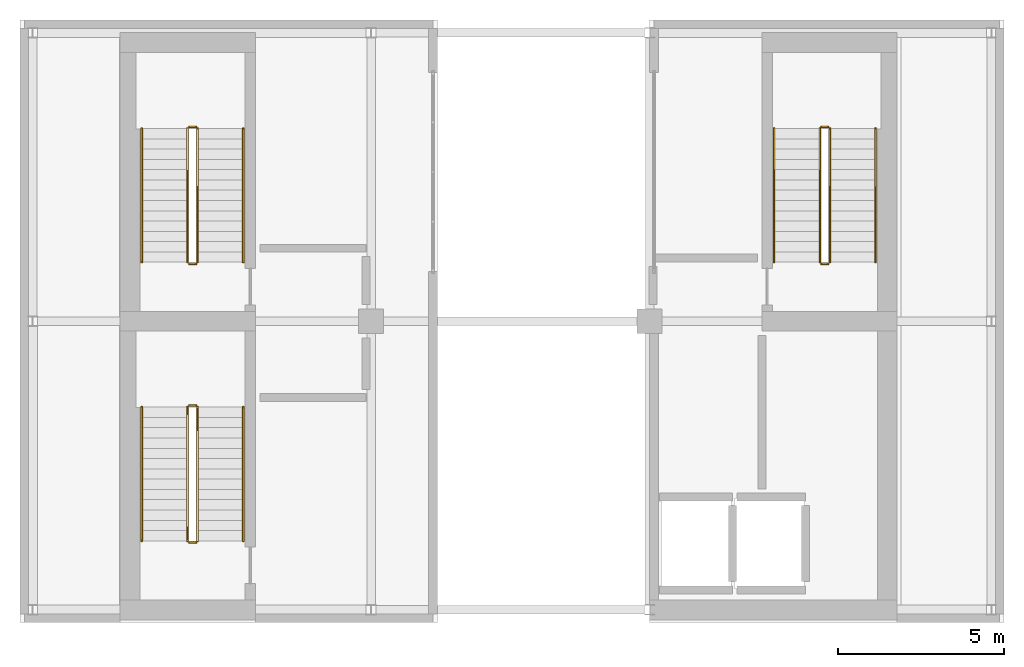
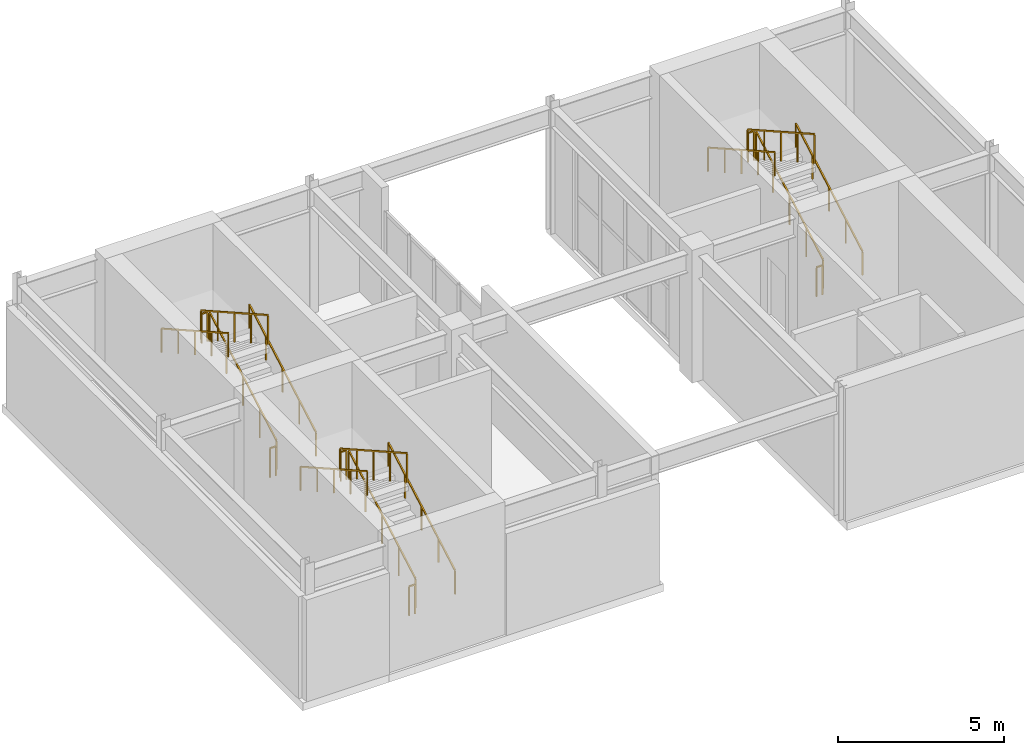
# One storey, part 9 of 9: 18 railings.
"""IFC4 building model written with IfcOpenShell, lengths in metres."""

from ifc_helpers import new_model, si_unit, direction, frame, origin, origin_2d, place, context, subcontext, project, spatial, rectangle, extrude, material, type_object, element, save


model = new_model("IFC4")

# Units and contexts
model_context = context("Model", 3, precision=1e-05, world=origin(), true_north=direction((0.0, 1.0)))
body_context = subcontext(model_context, "Body", "Model", "MODEL_VIEW")
ifc_project = project(units=[si_unit("LENGTHUNIT", "METRE"), si_unit("AREAUNIT", "SQUARE_METRE"), si_unit("VOLUMEUNIT", "CUBIC_METRE"), si_unit("PLANEANGLEUNIT", "RADIAN"), si_unit("MASSUNIT", "GRAM", prefix="KILO")], contexts=[model_context])

# Site, building, storey
site_placement = place(None, origin())
site = spatial("IfcSite", under=ifc_project, at=site_placement, CompositionType="ELEMENT")
building_placement = place(site_placement, origin())
building = spatial("IfcBuilding", under=site, at=building_placement, Name="Solanera Arch Residences", CompositionType="ELEMENT")
storey_placement = place(building_placement, frame((0.0, 0.0, 292.780029296875)))
storey = spatial("IfcBuildingStorey", under=building, at=storey_placement, Name="L83", CompositionType="ELEMENT", Elevation=292.780029296875)

# Railings
ifc_material_1 = material(Name="Steel S355 (ASTM A992 / A572 Grade 50)", Category="steel")
railing_type_1 = type_object("IfcRailingType", Name="Stair Guardrail GR-1100", PredefinedType="GUARDRAIL", material=ifc_material_1)
railing_1_placement = place(storey_placement, frame((15.570068359375, 32.47998046875, 0.159912109375)))
element("IfcRailing", 1, at=railing_1_placement, inside=storey, type_object=railing_type_1, Name="L83 ST-T1 stair guard 1", PredefinedType="GUARDRAIL", context=body_context, shape_type="SweptSolid", body=[
    extrude(rectangle(XDim=0.048095703125, YDim=0.048095703125, at=origin_2d()), frame((0.0, 0.0, 1.076171875), z_axis=(0.0, 0.870812288514, 0.491615661033), x_axis=(-1.0, 0.0, 0.0)), (0.0, 0.0, 1.0), 4.6279296875),
    extrude(rectangle(XDim=0.0419921875, YDim=0.0419921875, at=origin_2d()), origin(), (0.0, 0.0, 1.0), 1.052001953125),
    extrude(rectangle(XDim=0.0419921875, YDim=0.0419921875, at=origin_2d()), frame((0.0, 1.007568359375, 0.56884765625)), (0.0, 0.0, 1.0), 1.052001953125),
    extrude(rectangle(XDim=0.0419921875, YDim=0.0419921875, at=origin_2d()), frame((0.0, 2.01513671875, 1.1376953125)), (0.0, 0.0, 1.0), 1.052001953125),
    extrude(rectangle(XDim=0.0419921875, YDim=0.0419921875, at=origin_2d()), frame((0.0, 3.0224609375, 1.706298828125)), (0.0, 0.0, 1.0), 1.052001953125),
    extrude(rectangle(XDim=0.0419921875, YDim=0.0419921875, at=origin_2d()), frame((0.0, 4.030029296875, 2.275146484375)), (0.0, 0.0, 1.0), 1.052001953125),
])
railing_2_placement = place(storey_placement, frame((15.52001953125, 36.56005859375, 2.43505859375)))
element("IfcRailing", 2, at=railing_2_placement, inside=storey, type_object=railing_type_1, Name="L83 ST-T1 stair guard 2", PredefinedType="GUARDRAIL", context=body_context, shape_type="SweptSolid", body=[
    extrude(rectangle(XDim=0.048095703125, YDim=0.048095703125, at=origin_2d()), frame((0.0, 0.0, 1.076171875), z_axis=(-1.0, 0.0, 0.0), x_axis=(0.0, -1.0, 0.0)), (0.0, 0.0, 1.0), 0.199951171875),
    extrude(rectangle(XDim=0.0419921875, YDim=0.0419921875, at=origin_2d()), origin(), (0.0, 0.0, 1.0), 1.052001953125),
    extrude(rectangle(XDim=0.0419921875, YDim=0.0419921875, at=origin_2d()), frame((-0.199951171875, 0.0, 0.0)), (0.0, 0.0, 1.0), 1.052001953125),
])
railing_3_placement = place(storey_placement, frame((15.27001953125, 36.510009765625, 2.60986328125)))
element("IfcRailing", 3, at=railing_3_placement, inside=storey, type_object=railing_type_1, Name="L83 ST-T1 stair guard 3", PredefinedType="GUARDRAIL", context=body_context, shape_type="SweptSolid", body=[
    extrude(rectangle(XDim=0.048095703125, YDim=0.048095703125, at=origin_2d()), frame((0.0, 0.0, 1.076171875), z_axis=(0.0, -0.870812288514, 0.491615661033), x_axis=(1.0, 0.0, 0.0)), (0.0, 0.0, 1.0), 4.6279296875),
    extrude(rectangle(XDim=0.0419921875, YDim=0.0419921875, at=origin_2d()), origin(), (0.0, 0.0, 1.0), 1.052001953125),
    extrude(rectangle(XDim=0.0419921875, YDim=0.0419921875, at=origin_2d()), frame((0.0, -1.007568359375, 0.56884765625)), (0.0, 0.0, 1.0), 1.052001953125),
    extrude(rectangle(XDim=0.0419921875, YDim=0.0419921875, at=origin_2d()), frame((0.0, -2.01513671875, 1.1376953125)), (0.0, 0.0, 1.0), 1.052001953125),
    extrude(rectangle(XDim=0.0419921875, YDim=0.0419921875, at=origin_2d()), frame((0.0, -3.0224609375, 1.706298828125)), (0.0, 0.0, 1.0), 1.052001953125),
    extrude(rectangle(XDim=0.0419921875, YDim=0.0419921875, at=origin_2d()), frame((0.0, -4.030029296875, 2.275146484375)), (0.0, 0.0, 1.0), 1.052001953125),
])
railing_4_placement = place(storey_placement, frame((15.52001953125, 32.429931640625, -0.01513671875)))
element("IfcRailing", 4, at=railing_4_placement, inside=storey, type_object=railing_type_1, Name="L83 ST-T1 stair guard 4", PredefinedType="GUARDRAIL", context=body_context, shape_type="SweptSolid", body=[
    extrude(rectangle(XDim=0.048095703125, YDim=0.048095703125, at=origin_2d()), frame((0.0, 0.0, 1.076171875), z_axis=(-1.0, 0.0, 0.0), x_axis=(0.0, -1.0, 0.0)), (0.0, 0.0, 1.0), 0.199951171875),
    extrude(rectangle(XDim=0.0419921875, YDim=0.0419921875, at=origin_2d()), origin(), (0.0, 0.0, 1.0), 1.052001953125),
    extrude(rectangle(XDim=0.0419921875, YDim=0.0419921875, at=origin_2d()), frame((-0.199951171875, 0.0, 0.0)), (0.0, 0.0, 1.0), 1.052001953125),
])
railing_5_placement = place(storey_placement, frame((34.6298828125, 32.47998046875, 0.159912109375)))
element("IfcRailing", 5, at=railing_5_placement, inside=storey, type_object=railing_type_1, Name="L83 ST-T2 stair guard 1", PredefinedType="GUARDRAIL", context=body_context, shape_type="SweptSolid", body=[
    extrude(rectangle(XDim=0.048095703125, YDim=0.048095703125, at=origin_2d()), frame((0.0, 0.0, 1.076171875), z_axis=(0.0, 0.870812288514, 0.491615661033), x_axis=(-1.0, 0.0, 0.0)), (0.0, 0.0, 1.0), 4.6279296875),
    extrude(rectangle(XDim=0.0419921875, YDim=0.0419921875, at=origin_2d()), origin(), (0.0, 0.0, 1.0), 1.052001953125),
    extrude(rectangle(XDim=0.0419921875, YDim=0.0419921875, at=origin_2d()), frame((0.0, 1.007568359375, 0.56884765625)), (0.0, 0.0, 1.0), 1.052001953125),
    extrude(rectangle(XDim=0.0419921875, YDim=0.0419921875, at=origin_2d()), frame((0.0, 2.01513671875, 1.1376953125)), (0.0, 0.0, 1.0), 1.052001953125),
    extrude(rectangle(XDim=0.0419921875, YDim=0.0419921875, at=origin_2d()), frame((0.0, 3.0224609375, 1.706298828125)), (0.0, 0.0, 1.0), 1.052001953125),
    extrude(rectangle(XDim=0.0419921875, YDim=0.0419921875, at=origin_2d()), frame((0.0, 4.030029296875, 2.275146484375)), (0.0, 0.0, 1.0), 1.052001953125),
])
railing_6_placement = place(storey_placement, frame((34.580078125, 36.56005859375, 2.43505859375)))
element("IfcRailing", 6, at=railing_6_placement, inside=storey, type_object=railing_type_1, Name="L83 ST-T2 stair guard 2", PredefinedType="GUARDRAIL", context=body_context, shape_type="SweptSolid", body=[
    extrude(rectangle(XDim=0.048095703125, YDim=0.048095703125, at=origin_2d()), frame((0.0, 0.0, 1.076171875), z_axis=(-1.0, 0.0, 0.0), x_axis=(0.0, -1.0, 0.0)), (0.0, 0.0, 1.0), 0.2001953125),
    extrude(rectangle(XDim=0.0419921875, YDim=0.0419921875, at=origin_2d()), origin(), (0.0, 0.0, 1.0), 1.052001953125),
    extrude(rectangle(XDim=0.0419921875, YDim=0.0419921875, at=origin_2d()), frame((-0.2001953125, 0.0, 0.0)), (0.0, 0.0, 1.0), 1.052001953125),
])
railing_7_placement = place(storey_placement, frame((34.330078125, 36.510009765625, 2.60986328125)))
element("IfcRailing", 7, at=railing_7_placement, inside=storey, type_object=railing_type_1, Name="L83 ST-T2 stair guard 3", PredefinedType="GUARDRAIL", context=body_context, shape_type="SweptSolid", body=[
    extrude(rectangle(XDim=0.048095703125, YDim=0.048095703125, at=origin_2d()), frame((0.0, 0.0, 1.076171875), z_axis=(0.0, -0.870812288514, 0.491615661033), x_axis=(1.0, 0.0, 0.0)), (0.0, 0.0, 1.0), 4.6279296875),
    extrude(rectangle(XDim=0.0419921875, YDim=0.0419921875, at=origin_2d()), origin(), (0.0, 0.0, 1.0), 1.052001953125),
    extrude(rectangle(XDim=0.0419921875, YDim=0.0419921875, at=origin_2d()), frame((0.0, -1.007568359375, 0.56884765625)), (0.0, 0.0, 1.0), 1.052001953125),
    extrude(rectangle(XDim=0.0419921875, YDim=0.0419921875, at=origin_2d()), frame((0.0, -2.01513671875, 1.1376953125)), (0.0, 0.0, 1.0), 1.052001953125),
    extrude(rectangle(XDim=0.0419921875, YDim=0.0419921875, at=origin_2d()), frame((0.0, -3.0224609375, 1.706298828125)), (0.0, 0.0, 1.0), 1.052001953125),
    extrude(rectangle(XDim=0.0419921875, YDim=0.0419921875, at=origin_2d()), frame((0.0, -4.030029296875, 2.275146484375)), (0.0, 0.0, 1.0), 1.052001953125),
])
railing_8_placement = place(storey_placement, frame((34.580078125, 32.429931640625, -0.01513671875)))
element("IfcRailing", 8, at=railing_8_placement, inside=storey, type_object=railing_type_1, Name="L83 ST-T2 stair guard 4", PredefinedType="GUARDRAIL", context=body_context, shape_type="SweptSolid", body=[
    extrude(rectangle(XDim=0.048095703125, YDim=0.048095703125, at=origin_2d()), frame((0.0, 0.0, 1.076171875), z_axis=(-1.0, 0.0, 0.0), x_axis=(0.0, -1.0, 0.0)), (0.0, 0.0, 1.0), 0.2001953125),
    extrude(rectangle(XDim=0.0419921875, YDim=0.0419921875, at=origin_2d()), origin(), (0.0, 0.0, 1.0), 1.052001953125),
    extrude(rectangle(XDim=0.0419921875, YDim=0.0419921875, at=origin_2d()), frame((-0.2001953125, 0.0, 0.0)), (0.0, 0.0, 1.0), 1.052001953125),
])
railing_9_placement = place(storey_placement, frame((15.570068359375, 24.080078125, 0.159912109375)))
element("IfcRailing", 9, at=railing_9_placement, inside=storey, type_object=railing_type_1, Name="L83 ST-T3 stair guard 1", PredefinedType="GUARDRAIL", context=body_context, shape_type="SweptSolid", body=[
    extrude(rectangle(XDim=0.048095703125, YDim=0.048095703125, at=origin_2d()), frame((0.0, 0.0, 1.076171875), z_axis=(0.0, 0.870812288514, 0.491615661033), x_axis=(-1.0, 0.0, 0.0)), (0.0, 0.0, 1.0), 4.6279296875),
    extrude(rectangle(XDim=0.0419921875, YDim=0.0419921875, at=origin_2d()), origin(), (0.0, 0.0, 1.0), 1.052001953125),
    extrude(rectangle(XDim=0.0419921875, YDim=0.0419921875, at=origin_2d()), frame((0.0, 1.007568359375, 0.56884765625)), (0.0, 0.0, 1.0), 1.052001953125),
    extrude(rectangle(XDim=0.0419921875, YDim=0.0419921875, at=origin_2d()), frame((0.0, 2.01513671875, 1.1376953125)), (0.0, 0.0, 1.0), 1.052001953125),
    extrude(rectangle(XDim=0.0419921875, YDim=0.0419921875, at=origin_2d()), frame((0.0, 3.0224609375, 1.706298828125)), (0.0, 0.0, 1.0), 1.052001953125),
    extrude(rectangle(XDim=0.0419921875, YDim=0.0419921875, at=origin_2d()), frame((0.0, 4.030029296875, 2.275146484375)), (0.0, 0.0, 1.0), 1.052001953125),
])
railing_10_placement = place(storey_placement, frame((15.52001953125, 28.159912109375, 2.43505859375)))
element("IfcRailing", 10, at=railing_10_placement, inside=storey, type_object=railing_type_1, Name="L83 ST-T3 stair guard 2", PredefinedType="GUARDRAIL", context=body_context, shape_type="SweptSolid", body=[
    extrude(rectangle(XDim=0.048095703125, YDim=0.048095703125, at=origin_2d()), frame((0.0, 0.0, 1.076171875), z_axis=(-1.0, 0.0, 0.0), x_axis=(0.0, -1.0, 0.0)), (0.0, 0.0, 1.0), 0.199951171875),
    extrude(rectangle(XDim=0.0419921875, YDim=0.0419921875, at=origin_2d()), origin(), (0.0, 0.0, 1.0), 1.052001953125),
    extrude(rectangle(XDim=0.0419921875, YDim=0.0419921875, at=origin_2d()), frame((-0.199951171875, 0.0, 0.0)), (0.0, 0.0, 1.0), 1.052001953125),
])
railing_11_placement = place(storey_placement, frame((15.27001953125, 28.110107421875, 2.60986328125)))
element("IfcRailing", 11, at=railing_11_placement, inside=storey, type_object=railing_type_1, Name="L83 ST-T3 stair guard 3", PredefinedType="GUARDRAIL", context=body_context, shape_type="SweptSolid", body=[
    extrude(rectangle(XDim=0.048095703125, YDim=0.048095703125, at=origin_2d()), frame((0.0, 0.0, 1.076171875), z_axis=(0.0, -0.870812288514, 0.491615661033), x_axis=(1.0, 0.0, 0.0)), (0.0, 0.0, 1.0), 4.6279296875),
    extrude(rectangle(XDim=0.0419921875, YDim=0.0419921875, at=origin_2d()), origin(), (0.0, 0.0, 1.0), 1.052001953125),
    extrude(rectangle(XDim=0.0419921875, YDim=0.0419921875, at=origin_2d()), frame((0.0, -1.007568359375, 0.56884765625)), (0.0, 0.0, 1.0), 1.052001953125),
    extrude(rectangle(XDim=0.0419921875, YDim=0.0419921875, at=origin_2d()), frame((0.0, -2.01513671875, 1.1376953125)), (0.0, 0.0, 1.0), 1.052001953125),
    extrude(rectangle(XDim=0.0419921875, YDim=0.0419921875, at=origin_2d()), frame((0.0, -3.0224609375, 1.706298828125)), (0.0, 0.0, 1.0), 1.052001953125),
    extrude(rectangle(XDim=0.0419921875, YDim=0.0419921875, at=origin_2d()), frame((0.0, -4.030029296875, 2.275146484375)), (0.0, 0.0, 1.0), 1.052001953125),
])
railing_12_placement = place(storey_placement, frame((15.52001953125, 24.030029296875, -0.01513671875)))
element("IfcRailing", 12, at=railing_12_placement, inside=storey, type_object=railing_type_1, Name="L83 ST-T3 stair guard 4", PredefinedType="GUARDRAIL", context=body_context, shape_type="SweptSolid", body=[
    extrude(rectangle(XDim=0.048095703125, YDim=0.048095703125, at=origin_2d()), frame((0.0, 0.0, 1.076171875), z_axis=(-1.0, 0.0, 0.0), x_axis=(0.0, -1.0, 0.0)), (0.0, 0.0, 1.0), 0.199951171875),
    extrude(rectangle(XDim=0.0419921875, YDim=0.0419921875, at=origin_2d()), origin(), (0.0, 0.0, 1.0), 1.052001953125),
    extrude(rectangle(XDim=0.0419921875, YDim=0.0419921875, at=origin_2d()), frame((-0.199951171875, 0.0, 0.0)), (0.0, 0.0, 1.0), 1.052001953125),
])
ifc_material_2 = material(Name="Steel S355 (ASTM A992 / A572 Grade 50)", Category="steel")
railing_type_2 = type_object("IfcRailingType", Name="Stair Wall Handrail HR-920", PredefinedType="HANDRAIL", material=ifc_material_2)
railing_13_placement = place(storey_placement, frame((16.949951171875, 32.47998046875, 0.175048828125)))
element("IfcRailing", 13, at=railing_13_placement, inside=storey, type_object=railing_type_2, Name="L83 ST-T1 stair handrail 1", PredefinedType="HANDRAIL", context=body_context, shape_type="SweptSolid", body=[
    extrude(rectangle(XDim=0.048095703125, YDim=0.048095703125, at=origin_2d()), frame((0.0, 0.0, 0.8759765625), z_axis=(0.0, 0.870834872482, 0.491575655285), x_axis=(-1.0, 0.0, 0.0)), (0.0, 0.0, 1.0), 4.627685546875),
    extrude(rectangle(XDim=0.0419921875, YDim=0.0419921875, at=origin_2d()), origin(), (0.0, 0.0, 1.0), 0.851806640625),
    extrude(rectangle(XDim=0.0419921875, YDim=0.0419921875, at=origin_2d()), frame((0.0, 1.007568359375, 0.56884765625)), (0.0, 0.0, 1.0), 0.851806640625),
    extrude(rectangle(XDim=0.0419921875, YDim=0.0419921875, at=origin_2d()), frame((0.0, 2.01513671875, 1.137451171875)), (0.0, 0.0, 1.0), 0.851806640625),
    extrude(rectangle(XDim=0.0419921875, YDim=0.0419921875, at=origin_2d()), frame((0.0, 3.0224609375, 1.7060546875)), (0.0, 0.0, 1.0), 0.851806640625),
    extrude(rectangle(XDim=0.0419921875, YDim=0.0419921875, at=origin_2d()), frame((0.0, 4.030029296875, 2.27490234375)), (0.0, 0.0, 1.0), 0.851806640625),
])
railing_14_placement = place(storey_placement, frame((13.889892578125, 36.510009765625, 2.625)))
element("IfcRailing", 14, at=railing_14_placement, inside=storey, type_object=railing_type_2, Name="L83 ST-T1 stair handrail 2", PredefinedType="HANDRAIL", context=body_context, shape_type="SweptSolid", body=[
    extrude(rectangle(XDim=0.048095703125, YDim=0.048095703125, at=origin_2d()), frame((0.0, 0.0, 0.8759765625), z_axis=(0.0, -0.870834872482, 0.491575655285), x_axis=(1.0, 0.0, 0.0)), (0.0, 0.0, 1.0), 4.627685546875),
    extrude(rectangle(XDim=0.0419921875, YDim=0.0419921875, at=origin_2d()), origin(), (0.0, 0.0, 1.0), 0.851806640625),
    extrude(rectangle(XDim=0.0419921875, YDim=0.0419921875, at=origin_2d()), frame((0.0, -1.007568359375, 0.56884765625)), (0.0, 0.0, 1.0), 0.851806640625),
    extrude(rectangle(XDim=0.0419921875, YDim=0.0419921875, at=origin_2d()), frame((0.0, -2.01513671875, 1.137451171875)), (0.0, 0.0, 1.0), 0.851806640625),
    extrude(rectangle(XDim=0.0419921875, YDim=0.0419921875, at=origin_2d()), frame((0.0, -3.0224609375, 1.7060546875)), (0.0, 0.0, 1.0), 0.851806640625),
    extrude(rectangle(XDim=0.0419921875, YDim=0.0419921875, at=origin_2d()), frame((0.0, -4.030029296875, 2.27490234375)), (0.0, 0.0, 1.0), 0.851806640625),
])
railing_15_placement = place(storey_placement, frame((36.010009765625, 32.47998046875, 0.175048828125)))
element("IfcRailing", 15, at=railing_15_placement, inside=storey, type_object=railing_type_2, Name="L83 ST-T2 stair handrail 1", PredefinedType="HANDRAIL", context=body_context, shape_type="SweptSolid", body=[
    extrude(rectangle(XDim=0.048095703125, YDim=0.048095703125, at=origin_2d()), frame((0.0, 0.0, 0.8759765625), z_axis=(0.0, 0.870834872482, 0.491575655285), x_axis=(-1.0, 0.0, 0.0)), (0.0, 0.0, 1.0), 4.627685546875),
    extrude(rectangle(XDim=0.0419921875, YDim=0.0419921875, at=origin_2d()), origin(), (0.0, 0.0, 1.0), 0.851806640625),
    extrude(rectangle(XDim=0.0419921875, YDim=0.0419921875, at=origin_2d()), frame((0.0, 1.007568359375, 0.56884765625)), (0.0, 0.0, 1.0), 0.851806640625),
    extrude(rectangle(XDim=0.0419921875, YDim=0.0419921875, at=origin_2d()), frame((0.0, 2.01513671875, 1.137451171875)), (0.0, 0.0, 1.0), 0.851806640625),
    extrude(rectangle(XDim=0.0419921875, YDim=0.0419921875, at=origin_2d()), frame((0.0, 3.0224609375, 1.7060546875)), (0.0, 0.0, 1.0), 0.851806640625),
    extrude(rectangle(XDim=0.0419921875, YDim=0.0419921875, at=origin_2d()), frame((0.0, 4.030029296875, 2.27490234375)), (0.0, 0.0, 1.0), 0.851806640625),
])
railing_16_placement = place(storey_placement, frame((32.949951171875, 36.510009765625, 2.625)))
element("IfcRailing", 16, at=railing_16_placement, inside=storey, type_object=railing_type_2, Name="L83 ST-T2 stair handrail 2", PredefinedType="HANDRAIL", context=body_context, shape_type="SweptSolid", body=[
    extrude(rectangle(XDim=0.048095703125, YDim=0.048095703125, at=origin_2d()), frame((0.0, 0.0, 0.8759765625), z_axis=(0.0, -0.870834872482, 0.491575655285), x_axis=(1.0, 0.0, 0.0)), (0.0, 0.0, 1.0), 4.627685546875),
    extrude(rectangle(XDim=0.0419921875, YDim=0.0419921875, at=origin_2d()), origin(), (0.0, 0.0, 1.0), 0.851806640625),
    extrude(rectangle(XDim=0.0419921875, YDim=0.0419921875, at=origin_2d()), frame((0.0, -1.007568359375, 0.56884765625)), (0.0, 0.0, 1.0), 0.851806640625),
    extrude(rectangle(XDim=0.0419921875, YDim=0.0419921875, at=origin_2d()), frame((0.0, -2.01513671875, 1.137451171875)), (0.0, 0.0, 1.0), 0.851806640625),
    extrude(rectangle(XDim=0.0419921875, YDim=0.0419921875, at=origin_2d()), frame((0.0, -3.0224609375, 1.7060546875)), (0.0, 0.0, 1.0), 0.851806640625),
    extrude(rectangle(XDim=0.0419921875, YDim=0.0419921875, at=origin_2d()), frame((0.0, -4.030029296875, 2.27490234375)), (0.0, 0.0, 1.0), 0.851806640625),
])
railing_17_placement = place(storey_placement, frame((16.949951171875, 24.080078125, 0.175048828125)))
element("IfcRailing", 17, at=railing_17_placement, inside=storey, type_object=railing_type_2, Name="L83 ST-T3 stair handrail 1", PredefinedType="HANDRAIL", context=body_context, shape_type="SweptSolid", body=[
    extrude(rectangle(XDim=0.048095703125, YDim=0.048095703125, at=origin_2d()), frame((0.0, 0.0, 0.8759765625), z_axis=(0.0, 0.870834872482, 0.491575655285), x_axis=(-1.0, 0.0, 0.0)), (0.0, 0.0, 1.0), 4.627685546875),
    extrude(rectangle(XDim=0.0419921875, YDim=0.0419921875, at=origin_2d()), origin(), (0.0, 0.0, 1.0), 0.851806640625),
    extrude(rectangle(XDim=0.0419921875, YDim=0.0419921875, at=origin_2d()), frame((0.0, 1.007568359375, 0.56884765625)), (0.0, 0.0, 1.0), 0.851806640625),
    extrude(rectangle(XDim=0.0419921875, YDim=0.0419921875, at=origin_2d()), frame((0.0, 2.01513671875, 1.137451171875)), (0.0, 0.0, 1.0), 0.851806640625),
    extrude(rectangle(XDim=0.0419921875, YDim=0.0419921875, at=origin_2d()), frame((0.0, 3.0224609375, 1.7060546875)), (0.0, 0.0, 1.0), 0.851806640625),
    extrude(rectangle(XDim=0.0419921875, YDim=0.0419921875, at=origin_2d()), frame((0.0, 4.030029296875, 2.27490234375)), (0.0, 0.0, 1.0), 0.851806640625),
])
railing_18_placement = place(storey_placement, frame((13.889892578125, 28.110107421875, 2.625)))
element("IfcRailing", 18, at=railing_18_placement, inside=storey, type_object=railing_type_2, Name="L83 ST-T3 stair handrail 2", PredefinedType="HANDRAIL", context=body_context, shape_type="SweptSolid", body=[
    extrude(rectangle(XDim=0.048095703125, YDim=0.048095703125, at=origin_2d()), frame((0.0, 0.0, 0.8759765625), z_axis=(0.0, -0.870834872482, 0.491575655285), x_axis=(1.0, 0.0, 0.0)), (0.0, 0.0, 1.0), 4.627685546875),
    extrude(rectangle(XDim=0.0419921875, YDim=0.0419921875, at=origin_2d()), origin(), (0.0, 0.0, 1.0), 0.851806640625),
    extrude(rectangle(XDim=0.0419921875, YDim=0.0419921875, at=origin_2d()), frame((0.0, -1.007568359375, 0.56884765625)), (0.0, 0.0, 1.0), 0.851806640625),
    extrude(rectangle(XDim=0.0419921875, YDim=0.0419921875, at=origin_2d()), frame((0.0, -2.01513671875, 1.137451171875)), (0.0, 0.0, 1.0), 0.851806640625),
    extrude(rectangle(XDim=0.0419921875, YDim=0.0419921875, at=origin_2d()), frame((0.0, -3.0224609375, 1.7060546875)), (0.0, 0.0, 1.0), 0.851806640625),
    extrude(rectangle(XDim=0.0419921875, YDim=0.0419921875, at=origin_2d()), frame((0.0, -4.030029296875, 2.27490234375)), (0.0, 0.0, 1.0), 0.851806640625),
])

save(model, "model.ifc")
